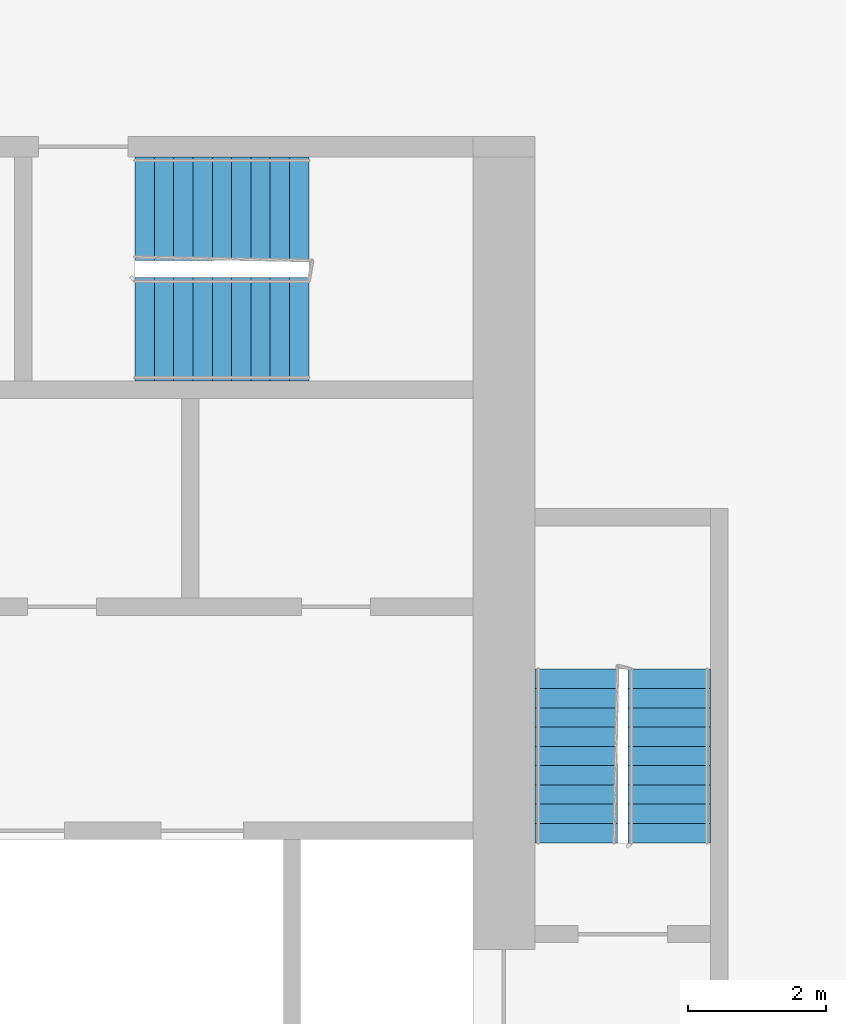
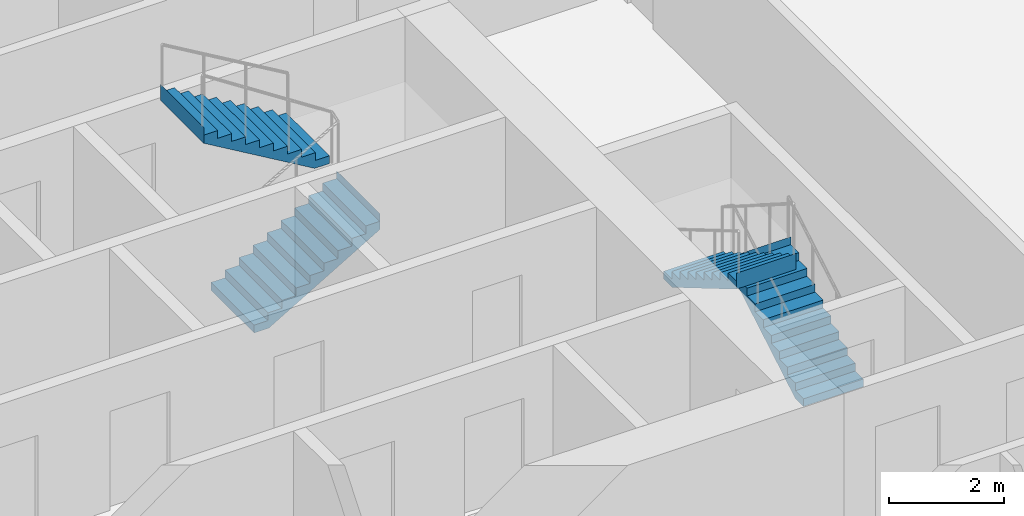
# One storey, part 11 of 13: 4 stair flights, 2 elements without a shape of their own.
"""IFC4 building model written with IfcOpenShell, lengths in metres."""

from ifc_helpers import new_model, si_unit, direction, frame, origin, place, context, subcontext, project, spatial, faceted_brep, material, type_object, element, aggregate, save


model = new_model("IFC4")

# Units and contexts
model_context = context("Model", 3, precision=1e-05, world=origin(), true_north=direction((0.0, 1.0)))
body_context = subcontext(model_context, "Body", "Model", "MODEL_VIEW")
ifc_project = project(units=[si_unit("LENGTHUNIT", "METRE"), si_unit("AREAUNIT", "SQUARE_METRE"), si_unit("VOLUMEUNIT", "CUBIC_METRE"), si_unit("PLANEANGLEUNIT", "RADIAN"), si_unit("MASSUNIT", "GRAM", prefix="KILO")], contexts=[model_context])

# Site, building, storey
site_placement = place(None, origin())
site = spatial("IfcSite", under=ifc_project, at=site_placement, CompositionType="ELEMENT")
building_placement = place(site_placement, origin())
building = spatial("IfcBuilding", under=site, at=building_placement, Name="Kajstack Hotel Tower", CompositionType="ELEMENT")
storey_placement = place(building_placement, frame((0.0, 0.0, 237.5)))
storey = spatial("IfcBuildingStorey", under=building, at=storey_placement, Name="L58", CompositionType="ELEMENT", Elevation=237.5)

# Stair, stair flights
ifc_material = material(Name="Concrete C40/50", Category="concrete")
stair_type_1 = type_object("IfcStairType", Name="Exit stair 1200", PredefinedType="HALF_TURN_STAIR", material=ifc_material)
stair_1_placement = place(storey_placement, origin())
stair_1 = element("IfcStair", 1, at=stair_1_placement, inside=storey, type_object=stair_type_1, Name="L58 stair E1", PredefinedType="HALF_TURN_STAIR")
stair_flight_type_1 = type_object("IfcStairFlightType", Name="Exit stair flight 1200", PredefinedType="STRAIGHT", material=ifc_material)
stair_flight_1_placement = place(storey_placement, frame((33.449951171875, 5.25, 0.0), z_axis=(0.0, 0.0, 1.0), x_axis=(0.0, 1.0, 0.0)))
stair_flight_1 = element("IfcStairFlight", 2, at=stair_flight_1_placement, type_object=stair_flight_type_1, Name="E1 flight 1", NumberOfRisers=10, NumberOfTreads=9, PredefinedType="STRAIGHT", RiserHeight=0.165, TreadLength=0.28, context=body_context, shape_type="Brep", body=[
    faceted_brep([(0.295654296875, -0.60009765625, 0.0), (2.5205078125, -0.60009765625, 1.31103515625), (2.5205078125, -0.60009765625, 1.64990234375), (2.52001953125, -0.60009765625, 1.64990234375), (2.52001953125, -0.60009765625, 1.485107421875), (2.239990234375, -0.60009765625, 1.485107421875), (2.239990234375, -0.60009765625, 1.320068359375), (1.9599609375, -0.60009765625, 1.320068359375), (1.9599609375, -0.60009765625, 1.155029296875), (1.679931640625, -0.60009765625, 1.155029296875), (1.679931640625, -0.60009765625, 0.989990234375), (1.39990234375, -0.60009765625, 0.989990234375), (1.39990234375, -0.60009765625, 0.824951171875), (1.1201171875, -0.60009765625, 0.824951171875), (1.1201171875, -0.60009765625, 0.659912109375), (0.840087890625, -0.60009765625, 0.659912109375), (0.840087890625, -0.60009765625, 0.4951171875), (0.56005859375, -0.60009765625, 0.4951171875), (0.56005859375, -0.60009765625, 0.330078125), (0.280029296875, -0.60009765625, 0.330078125), (0.280029296875, -0.60009765625, 0.1650390625), (-0.00048828125, -0.60009765625, 0.1650390625), (-0.00048828125, -0.60009765625, 0.0), (-0.00048828125, 0.60009765625, 0.0), (-0.00048828125, 0.60009765625, 0.1650390625), (0.280029296875, 0.60009765625, 0.1650390625), (0.280029296875, 0.60009765625, 0.330078125), (0.56005859375, 0.60009765625, 0.330078125), (0.56005859375, 0.60009765625, 0.4951171875), (0.840087890625, 0.60009765625, 0.4951171875), (0.840087890625, 0.60009765625, 0.659912109375), (1.1201171875, 0.60009765625, 0.659912109375), (1.1201171875, 0.60009765625, 0.824951171875), (1.39990234375, 0.60009765625, 0.824951171875), (1.39990234375, 0.60009765625, 0.989990234375), (1.679931640625, 0.60009765625, 0.989990234375), (1.679931640625, 0.60009765625, 1.155029296875), (1.9599609375, 0.60009765625, 1.155029296875), (1.9599609375, 0.60009765625, 1.320068359375), (2.239990234375, 0.60009765625, 1.320068359375), (2.239990234375, 0.60009765625, 1.485107421875), (2.52001953125, 0.60009765625, 1.485107421875), (2.52001953125, 0.60009765625, 1.64990234375), (2.5205078125, 0.60009765625, 1.64990234375), (2.5205078125, 0.60009765625, 1.31103515625), (0.295654296875, 0.60009765625, 0.0), (-0.00048828125, -0.300048828125, 0.1650390625), (-0.00048828125, 0.0, 0.1650390625), (-0.00048828125, 0.300048828125, 0.1650390625), (-0.00048828125, 0.300048828125, 0.0), (-0.00048828125, 0.0, 0.0), (-0.00048828125, -0.300048828125, 0.0), (0.280029296875, -0.300048828125, 0.1650390625), (0.280029296875, 0.0, 0.1650390625), (0.280029296875, 0.300048828125, 0.1650390625), (0.280029296875, -0.300048828125, 0.330078125), (0.280029296875, 0.0, 0.330078125), (0.280029296875, 0.300048828125, 0.330078125), (0.56005859375, -0.300048828125, 0.330078125), (0.56005859375, 0.0, 0.330078125), (0.56005859375, 0.300048828125, 0.330078125), (0.56005859375, -0.300048828125, 0.4951171875), (0.56005859375, 0.0, 0.4951171875), (0.56005859375, 0.300048828125, 0.4951171875), (0.840087890625, -0.300048828125, 0.4951171875), (0.840087890625, 0.0, 0.4951171875), (0.840087890625, 0.300048828125, 0.4951171875), (0.840087890625, -0.300048828125, 0.659912109375), (0.840087890625, 0.0, 0.659912109375), (0.840087890625, 0.300048828125, 0.659912109375), (1.1201171875, -0.300048828125, 0.659912109375), (1.1201171875, 0.0, 0.659912109375), (1.1201171875, 0.300048828125, 0.659912109375), (1.1201171875, -0.300048828125, 0.824951171875), (1.1201171875, 0.0, 0.824951171875), (1.1201171875, 0.300048828125, 0.824951171875), (1.39990234375, -0.300048828125, 0.824951171875), (1.39990234375, 0.0, 0.824951171875), (1.39990234375, 0.300048828125, 0.824951171875), (1.39990234375, -0.300048828125, 0.989990234375), (1.39990234375, 0.0, 0.989990234375), (1.39990234375, 0.300048828125, 0.989990234375), (1.679931640625, -0.300048828125, 0.989990234375), (1.679931640625, 0.0, 0.989990234375), (1.679931640625, 0.300048828125, 0.989990234375), (1.679931640625, -0.300048828125, 1.155029296875), (1.679931640625, 0.0, 1.155029296875), (1.679931640625, 0.300048828125, 1.155029296875), (1.9599609375, -0.300048828125, 1.155029296875), (1.9599609375, 0.0, 1.155029296875), (1.9599609375, 0.300048828125, 1.155029296875), (1.9599609375, -0.300048828125, 1.320068359375), (1.9599609375, 0.0, 1.320068359375), (1.9599609375, 0.300048828125, 1.320068359375), (2.239990234375, -0.300048828125, 1.320068359375), (2.239990234375, 0.0, 1.320068359375), (2.239990234375, 0.300048828125, 1.320068359375), (2.239990234375, -0.300048828125, 1.485107421875), (2.239990234375, 0.0, 1.485107421875), (2.239990234375, 0.300048828125, 1.485107421875), (2.52001953125, -0.300048828125, 1.485107421875), (2.52001953125, 0.0, 1.485107421875), (2.52001953125, 0.300048828125, 1.485107421875), (2.52001953125, -0.300048828125, 1.64990234375), (2.52001953125, 0.0, 1.64990234375), (2.52001953125, 0.300048828125, 1.64990234375), (2.5205078125, -0.300048828125, 1.64990234375), (2.5205078125, 0.0, 1.64990234375), (2.5205078125, 0.300048828125, 1.64990234375), (2.5205078125, -0.300048828125, 1.31103515625), (2.5205078125, 0.0, 1.31103515625), (2.5205078125, 0.300048828125, 1.31103515625), (0.295654296875, -0.300048828125, 0.0), (0.295654296875, 0.0, 0.0), (0.295654296875, 0.300048828125, 0.0)], [[[0, 1, 2, 3, 4, 5, 6, 7, 8, 9, 10, 11, 12, 13, 14, 15, 16, 17, 18, 19, 20, 21, 22]], [[23, 24, 25, 26, 27, 28, 29, 30, 31, 32, 33, 34, 35, 36, 37, 38, 39, 40, 41, 42, 43, 44, 45]], [[21, 46, 47, 48, 24, 23, 49, 50, 51, 22]], [[20, 52, 53, 54, 25, 24, 48, 47, 46, 21]], [[19, 55, 56, 57, 26, 25, 54, 53, 52, 20]], [[18, 58, 59, 60, 27, 26, 57, 56, 55, 19]], [[17, 61, 62, 63, 28, 27, 60, 59, 58, 18]], [[16, 64, 65, 66, 29, 28, 63, 62, 61, 17]], [[15, 67, 68, 69, 30, 29, 66, 65, 64, 16]], [[14, 70, 71, 72, 31, 30, 69, 68, 67, 15]], [[13, 73, 74, 75, 32, 31, 72, 71, 70, 14]], [[12, 76, 77, 78, 33, 32, 75, 74, 73, 13]], [[11, 79, 80, 81, 34, 33, 78, 77, 76, 12]], [[10, 82, 83, 84, 35, 34, 81, 80, 79, 11]], [[9, 85, 86, 87, 36, 35, 84, 83, 82, 10]], [[8, 88, 89, 90, 37, 36, 87, 86, 85, 9]], [[7, 91, 92, 93, 38, 37, 90, 89, 88, 8]], [[6, 94, 95, 96, 39, 38, 93, 92, 91, 7]], [[5, 97, 98, 99, 40, 39, 96, 95, 94, 6]], [[4, 100, 101, 102, 41, 40, 99, 98, 97, 5]], [[3, 103, 104, 105, 42, 41, 102, 101, 100, 4]], [[2, 106, 107, 108, 43, 42, 105, 104, 103, 3]], [[1, 109, 110, 111, 44, 43, 108, 107, 106, 2]], [[0, 112, 113, 114, 45, 44, 111, 110, 109, 1]], [[22, 51, 50, 49, 23, 45, 114, 113, 112, 0]]]),
])
stair_flight_2_placement = place(storey_placement, frame((32.10009765625, 7.77001953125, 1.64990234375), z_axis=(0.0, 0.0, 1.0), x_axis=(0.0, -1.0, 0.0)))
stair_flight_2 = element("IfcStairFlight", 3, at=stair_flight_2_placement, type_object=stair_flight_type_1, Name="E1 flight 2", NumberOfRisers=10, NumberOfTreads=9, PredefinedType="STRAIGHT", RiserHeight=0.165, TreadLength=0.28, context=body_context, shape_type="Brep", body=[
    faceted_brep([(0.295654296875, -0.60009765625, 0.0), (2.5205078125, -0.60009765625, 1.31103515625), (2.5205078125, -0.60009765625, 1.64990234375), (2.52001953125, -0.60009765625, 1.64990234375), (2.52001953125, -0.60009765625, 1.485107421875), (2.239990234375, -0.60009765625, 1.485107421875), (2.239990234375, -0.60009765625, 1.320068359375), (1.9599609375, -0.60009765625, 1.320068359375), (1.9599609375, -0.60009765625, 1.155029296875), (1.679931640625, -0.60009765625, 1.155029296875), (1.679931640625, -0.60009765625, 0.989990234375), (1.39990234375, -0.60009765625, 0.989990234375), (1.39990234375, -0.60009765625, 0.824951171875), (1.1201171875, -0.60009765625, 0.824951171875), (1.1201171875, -0.60009765625, 0.659912109375), (0.840087890625, -0.60009765625, 0.659912109375), (0.840087890625, -0.60009765625, 0.4951171875), (0.56005859375, -0.60009765625, 0.4951171875), (0.56005859375, -0.60009765625, 0.330078125), (0.280029296875, -0.60009765625, 0.330078125), (0.280029296875, -0.60009765625, 0.1650390625), (-0.00048828125, -0.60009765625, 0.1650390625), (-0.00048828125, -0.60009765625, 0.0), (-0.00048828125, 0.60009765625, 0.0), (-0.00048828125, 0.60009765625, 0.1650390625), (0.280029296875, 0.60009765625, 0.1650390625), (0.280029296875, 0.60009765625, 0.330078125), (0.56005859375, 0.60009765625, 0.330078125), (0.56005859375, 0.60009765625, 0.4951171875), (0.840087890625, 0.60009765625, 0.4951171875), (0.840087890625, 0.60009765625, 0.659912109375), (1.1201171875, 0.60009765625, 0.659912109375), (1.1201171875, 0.60009765625, 0.824951171875), (1.39990234375, 0.60009765625, 0.824951171875), (1.39990234375, 0.60009765625, 0.989990234375), (1.679931640625, 0.60009765625, 0.989990234375), (1.679931640625, 0.60009765625, 1.155029296875), (1.9599609375, 0.60009765625, 1.155029296875), (1.9599609375, 0.60009765625, 1.320068359375), (2.239990234375, 0.60009765625, 1.320068359375), (2.239990234375, 0.60009765625, 1.485107421875), (2.52001953125, 0.60009765625, 1.485107421875), (2.52001953125, 0.60009765625, 1.64990234375), (2.5205078125, 0.60009765625, 1.64990234375), (2.5205078125, 0.60009765625, 1.31103515625), (0.295654296875, 0.60009765625, 0.0), (-0.00048828125, -0.300048828125, 0.1650390625), (-0.00048828125, 0.0, 0.1650390625), (-0.00048828125, 0.300048828125, 0.1650390625), (-0.00048828125, 0.300048828125, 0.0), (-0.00048828125, 0.0, 0.0), (-0.00048828125, -0.300048828125, 0.0), (0.280029296875, -0.300048828125, 0.1650390625), (0.280029296875, 0.0, 0.1650390625), (0.280029296875, 0.300048828125, 0.1650390625), (0.280029296875, -0.300048828125, 0.330078125), (0.280029296875, 0.0, 0.330078125), (0.280029296875, 0.300048828125, 0.330078125), (0.56005859375, -0.300048828125, 0.330078125), (0.56005859375, 0.0, 0.330078125), (0.56005859375, 0.300048828125, 0.330078125), (0.56005859375, -0.300048828125, 0.4951171875), (0.56005859375, 0.0, 0.4951171875), (0.56005859375, 0.300048828125, 0.4951171875), (0.840087890625, -0.300048828125, 0.4951171875), (0.840087890625, 0.0, 0.4951171875), (0.840087890625, 0.300048828125, 0.4951171875), (0.840087890625, -0.300048828125, 0.659912109375), (0.840087890625, 0.0, 0.659912109375), (0.840087890625, 0.300048828125, 0.659912109375), (1.1201171875, -0.300048828125, 0.659912109375), (1.1201171875, 0.0, 0.659912109375), (1.1201171875, 0.300048828125, 0.659912109375), (1.1201171875, -0.300048828125, 0.824951171875), (1.1201171875, 0.0, 0.824951171875), (1.1201171875, 0.300048828125, 0.824951171875), (1.39990234375, -0.300048828125, 0.824951171875), (1.39990234375, 0.0, 0.824951171875), (1.39990234375, 0.300048828125, 0.824951171875), (1.39990234375, -0.300048828125, 0.989990234375), (1.39990234375, 0.0, 0.989990234375), (1.39990234375, 0.300048828125, 0.989990234375), (1.679931640625, -0.300048828125, 0.989990234375), (1.679931640625, 0.0, 0.989990234375), (1.679931640625, 0.300048828125, 0.989990234375), (1.679931640625, -0.300048828125, 1.155029296875), (1.679931640625, 0.0, 1.155029296875), (1.679931640625, 0.300048828125, 1.155029296875), (1.9599609375, -0.300048828125, 1.155029296875), (1.9599609375, 0.0, 1.155029296875), (1.9599609375, 0.300048828125, 1.155029296875), (1.9599609375, -0.300048828125, 1.320068359375), (1.9599609375, 0.0, 1.320068359375), (1.9599609375, 0.300048828125, 1.320068359375), (2.239990234375, -0.300048828125, 1.320068359375), (2.239990234375, 0.0, 1.320068359375), (2.239990234375, 0.300048828125, 1.320068359375), (2.239990234375, -0.300048828125, 1.485107421875), (2.239990234375, 0.0, 1.485107421875), (2.239990234375, 0.300048828125, 1.485107421875), (2.52001953125, -0.300048828125, 1.485107421875), (2.52001953125, 0.0, 1.485107421875), (2.52001953125, 0.300048828125, 1.485107421875), (2.52001953125, -0.300048828125, 1.64990234375), (2.52001953125, 0.0, 1.64990234375), (2.52001953125, 0.300048828125, 1.64990234375), (2.5205078125, -0.300048828125, 1.64990234375), (2.5205078125, 0.0, 1.64990234375), (2.5205078125, 0.300048828125, 1.64990234375), (2.5205078125, -0.300048828125, 1.31103515625), (2.5205078125, 0.0, 1.31103515625), (2.5205078125, 0.300048828125, 1.31103515625), (0.295654296875, -0.300048828125, 0.0), (0.295654296875, 0.0, 0.0), (0.295654296875, 0.300048828125, 0.0)], [[[0, 1, 2, 3, 4, 5, 6, 7, 8, 9, 10, 11, 12, 13, 14, 15, 16, 17, 18, 19, 20, 21, 22]], [[23, 24, 25, 26, 27, 28, 29, 30, 31, 32, 33, 34, 35, 36, 37, 38, 39, 40, 41, 42, 43, 44, 45]], [[21, 46, 47, 48, 24, 23, 49, 50, 51, 22]], [[20, 52, 53, 54, 25, 24, 48, 47, 46, 21]], [[19, 55, 56, 57, 26, 25, 54, 53, 52, 20]], [[18, 58, 59, 60, 27, 26, 57, 56, 55, 19]], [[17, 61, 62, 63, 28, 27, 60, 59, 58, 18]], [[16, 64, 65, 66, 29, 28, 63, 62, 61, 17]], [[15, 67, 68, 69, 30, 29, 66, 65, 64, 16]], [[14, 70, 71, 72, 31, 30, 69, 68, 67, 15]], [[13, 73, 74, 75, 32, 31, 72, 71, 70, 14]], [[12, 76, 77, 78, 33, 32, 75, 74, 73, 13]], [[11, 79, 80, 81, 34, 33, 78, 77, 76, 12]], [[10, 82, 83, 84, 35, 34, 81, 80, 79, 11]], [[9, 85, 86, 87, 36, 35, 84, 83, 82, 10]], [[8, 88, 89, 90, 37, 36, 87, 86, 85, 9]], [[7, 91, 92, 93, 38, 37, 90, 89, 88, 8]], [[6, 94, 95, 96, 39, 38, 93, 92, 91, 7]], [[5, 97, 98, 99, 40, 39, 96, 95, 94, 6]], [[4, 100, 101, 102, 41, 40, 99, 98, 97, 5]], [[3, 103, 104, 105, 42, 41, 102, 101, 100, 4]], [[2, 106, 107, 108, 43, 42, 105, 104, 103, 3]], [[1, 109, 110, 111, 44, 43, 108, 107, 106, 2]], [[0, 112, 113, 114, 45, 44, 111, 110, 109, 1]], [[22, 51, 50, 49, 23, 45, 114, 113, 112, 0]]]),
])
aggregate(stair_1, [stair_flight_1, stair_flight_2])

stair_type_2 = type_object("IfcStairType", Name="Exit stair 1500", PredefinedType="HALF_TURN_STAIR", material=ifc_material)
stair_2_placement = place(storey_placement, origin())
stair_2 = element("IfcStair", 4, at=stair_2_placement, inside=storey, type_object=stair_type_2, Name="L58 stair E3", PredefinedType="HALF_TURN_STAIR")
stair_flight_type_2 = type_object("IfcStairFlightType", Name="Exit stair flight 1500", PredefinedType="STRAIGHT", material=ifc_material)
stair_flight_3_placement = place(storey_placement, frame((25.699951171875, 12.699951171875, 0.0), z_axis=(0.0, 0.0, 1.0), x_axis=(1.0, 0.0, 0.0)))
stair_flight_3 = element("IfcStairFlight", 5, at=stair_flight_3_placement, type_object=stair_flight_type_2, Name="E3 flight 1", NumberOfRisers=10, NumberOfTreads=9, PredefinedType="STRAIGHT", RiserHeight=0.165, TreadLength=0.28, context=body_context, shape_type="Brep", body=[
    faceted_brep([(0.295654296875, -0.75, 0.0), (2.5205078125, -0.75, 1.31103515625), (2.5205078125, -0.75, 1.64990234375), (2.52001953125, -0.75, 1.64990234375), (2.52001953125, -0.75, 1.485107421875), (2.239990234375, -0.75, 1.485107421875), (2.239990234375, -0.75, 1.320068359375), (1.9599609375, -0.75, 1.320068359375), (1.9599609375, -0.75, 1.155029296875), (1.679931640625, -0.75, 1.155029296875), (1.679931640625, -0.75, 0.989990234375), (1.39990234375, -0.75, 0.989990234375), (1.39990234375, -0.75, 0.824951171875), (1.1201171875, -0.75, 0.824951171875), (1.1201171875, -0.75, 0.659912109375), (0.840087890625, -0.75, 0.659912109375), (0.840087890625, -0.75, 0.4951171875), (0.56005859375, -0.75, 0.4951171875), (0.56005859375, -0.75, 0.330078125), (0.280029296875, -0.75, 0.330078125), (0.280029296875, -0.75, 0.1650390625), (-0.00048828125, -0.75, 0.1650390625), (-0.00048828125, -0.75, 0.0), (-0.00048828125, 0.75, 0.0), (-0.00048828125, 0.75, 0.1650390625), (0.280029296875, 0.75, 0.1650390625), (0.280029296875, 0.75, 0.330078125), (0.56005859375, 0.75, 0.330078125), (0.56005859375, 0.75, 0.4951171875), (0.840087890625, 0.75, 0.4951171875), (0.840087890625, 0.75, 0.659912109375), (1.1201171875, 0.75, 0.659912109375), (1.1201171875, 0.75, 0.824951171875), (1.39990234375, 0.75, 0.824951171875), (1.39990234375, 0.75, 0.989990234375), (1.679931640625, 0.75, 0.989990234375), (1.679931640625, 0.75, 1.155029296875), (1.9599609375, 0.75, 1.155029296875), (1.9599609375, 0.75, 1.320068359375), (2.239990234375, 0.75, 1.320068359375), (2.239990234375, 0.75, 1.485107421875), (2.52001953125, 0.75, 1.485107421875), (2.52001953125, 0.75, 1.64990234375), (2.5205078125, 0.75, 1.64990234375), (2.5205078125, 0.75, 1.31103515625), (0.295654296875, 0.75, 0.0), (-0.00048828125, -0.375, 0.1650390625), (-0.00048828125, 0.0, 0.1650390625), (-0.00048828125, 0.375, 0.1650390625), (-0.00048828125, 0.375, 0.0), (-0.00048828125, 0.0, 0.0), (-0.00048828125, -0.375, 0.0), (0.280029296875, -0.375, 0.1650390625), (0.280029296875, 0.0, 0.1650390625), (0.280029296875, 0.375, 0.1650390625), (0.280029296875, -0.375, 0.330078125), (0.280029296875, 0.0, 0.330078125), (0.280029296875, 0.375, 0.330078125), (0.56005859375, -0.375, 0.330078125), (0.56005859375, 0.0, 0.330078125), (0.56005859375, 0.375, 0.330078125), (0.56005859375, -0.375, 0.4951171875), (0.56005859375, 0.0, 0.4951171875), (0.56005859375, 0.375, 0.4951171875), (0.840087890625, -0.375, 0.4951171875), (0.840087890625, 0.0, 0.4951171875), (0.840087890625, 0.375, 0.4951171875), (0.840087890625, -0.375, 0.659912109375), (0.840087890625, 0.0, 0.659912109375), (0.840087890625, 0.375, 0.659912109375), (1.1201171875, -0.375, 0.659912109375), (1.1201171875, 0.0, 0.659912109375), (1.1201171875, 0.375, 0.659912109375), (1.1201171875, -0.375, 0.824951171875), (1.1201171875, 0.0, 0.824951171875), (1.1201171875, 0.375, 0.824951171875), (1.39990234375, -0.375, 0.824951171875), (1.39990234375, 0.0, 0.824951171875), (1.39990234375, 0.375, 0.824951171875), (1.39990234375, -0.375, 0.989990234375), (1.39990234375, 0.0, 0.989990234375), (1.39990234375, 0.375, 0.989990234375), (1.679931640625, -0.375, 0.989990234375), (1.679931640625, 0.0, 0.989990234375), (1.679931640625, 0.375, 0.989990234375), (1.679931640625, -0.375, 1.155029296875), (1.679931640625, 0.0, 1.155029296875), (1.679931640625, 0.375, 1.155029296875), (1.9599609375, -0.375, 1.155029296875), (1.9599609375, 0.0, 1.155029296875), (1.9599609375, 0.375, 1.155029296875), (1.9599609375, -0.375, 1.320068359375), (1.9599609375, 0.0, 1.320068359375), (1.9599609375, 0.375, 1.320068359375), (2.239990234375, -0.375, 1.320068359375), (2.239990234375, 0.0, 1.320068359375), (2.239990234375, 0.375, 1.320068359375), (2.239990234375, -0.375, 1.485107421875), (2.239990234375, 0.0, 1.485107421875), (2.239990234375, 0.375, 1.485107421875), (2.52001953125, -0.375, 1.485107421875), (2.52001953125, 0.0, 1.485107421875), (2.52001953125, 0.375, 1.485107421875), (2.52001953125, -0.375, 1.64990234375), (2.52001953125, 0.0, 1.64990234375), (2.52001953125, 0.375, 1.64990234375), (2.5205078125, -0.375, 1.64990234375), (2.5205078125, 0.0, 1.64990234375), (2.5205078125, 0.375, 1.64990234375), (2.5205078125, -0.375, 1.31103515625), (2.5205078125, 0.0, 1.31103515625), (2.5205078125, 0.375, 1.31103515625), (0.295654296875, -0.375, 0.0), (0.295654296875, 0.0, 0.0), (0.295654296875, 0.375, 0.0)], [[[0, 1, 2, 3, 4, 5, 6, 7, 8, 9, 10, 11, 12, 13, 14, 15, 16, 17, 18, 19, 20, 21, 22]], [[23, 24, 25, 26, 27, 28, 29, 30, 31, 32, 33, 34, 35, 36, 37, 38, 39, 40, 41, 42, 43, 44, 45]], [[21, 46, 47, 48, 24, 23, 49, 50, 51, 22]], [[20, 52, 53, 54, 25, 24, 48, 47, 46, 21]], [[19, 55, 56, 57, 26, 25, 54, 53, 52, 20]], [[18, 58, 59, 60, 27, 26, 57, 56, 55, 19]], [[17, 61, 62, 63, 28, 27, 60, 59, 58, 18]], [[16, 64, 65, 66, 29, 28, 63, 62, 61, 17]], [[15, 67, 68, 69, 30, 29, 66, 65, 64, 16]], [[14, 70, 71, 72, 31, 30, 69, 68, 67, 15]], [[13, 73, 74, 75, 32, 31, 72, 71, 70, 14]], [[12, 76, 77, 78, 33, 32, 75, 74, 73, 13]], [[11, 79, 80, 81, 34, 33, 78, 77, 76, 12]], [[10, 82, 83, 84, 35, 34, 81, 80, 79, 11]], [[9, 85, 86, 87, 36, 35, 84, 83, 82, 10]], [[8, 88, 89, 90, 37, 36, 87, 86, 85, 9]], [[7, 91, 92, 93, 38, 37, 90, 89, 88, 8]], [[6, 94, 95, 96, 39, 38, 93, 92, 91, 7]], [[5, 97, 98, 99, 40, 39, 96, 95, 94, 6]], [[4, 100, 101, 102, 41, 40, 99, 98, 97, 5]], [[3, 103, 104, 105, 42, 41, 102, 101, 100, 4]], [[2, 106, 107, 108, 43, 42, 105, 104, 103, 3]], [[1, 109, 110, 111, 44, 43, 108, 107, 106, 2]], [[0, 112, 113, 114, 45, 44, 111, 110, 109, 1]], [[22, 51, 50, 49, 23, 45, 114, 113, 112, 0]]]),
])
stair_flight_4_placement = place(storey_placement, frame((28.219970703125, 14.449951171875, 1.64990234375), z_axis=(0.0, 0.0, 1.0), x_axis=(-1.0, 0.0, 0.0)))
stair_flight_4 = element("IfcStairFlight", 6, at=stair_flight_4_placement, type_object=stair_flight_type_2, Name="E3 flight 2", NumberOfRisers=10, NumberOfTreads=9, PredefinedType="STRAIGHT", RiserHeight=0.165, TreadLength=0.28, context=body_context, shape_type="Brep", body=[
    faceted_brep([(0.295654296875, -0.75, 0.0), (2.5205078125, -0.75, 1.31103515625), (2.5205078125, -0.75, 1.64990234375), (2.52001953125, -0.75, 1.64990234375), (2.52001953125, -0.75, 1.485107421875), (2.239990234375, -0.75, 1.485107421875), (2.239990234375, -0.75, 1.320068359375), (1.9599609375, -0.75, 1.320068359375), (1.9599609375, -0.75, 1.155029296875), (1.679931640625, -0.75, 1.155029296875), (1.679931640625, -0.75, 0.989990234375), (1.39990234375, -0.75, 0.989990234375), (1.39990234375, -0.75, 0.824951171875), (1.1201171875, -0.75, 0.824951171875), (1.1201171875, -0.75, 0.659912109375), (0.840087890625, -0.75, 0.659912109375), (0.840087890625, -0.75, 0.4951171875), (0.56005859375, -0.75, 0.4951171875), (0.56005859375, -0.75, 0.330078125), (0.280029296875, -0.75, 0.330078125), (0.280029296875, -0.75, 0.1650390625), (-0.00048828125, -0.75, 0.1650390625), (-0.00048828125, -0.75, 0.0), (-0.00048828125, 0.75, 0.0), (-0.00048828125, 0.75, 0.1650390625), (0.280029296875, 0.75, 0.1650390625), (0.280029296875, 0.75, 0.330078125), (0.56005859375, 0.75, 0.330078125), (0.56005859375, 0.75, 0.4951171875), (0.840087890625, 0.75, 0.4951171875), (0.840087890625, 0.75, 0.659912109375), (1.1201171875, 0.75, 0.659912109375), (1.1201171875, 0.75, 0.824951171875), (1.39990234375, 0.75, 0.824951171875), (1.39990234375, 0.75, 0.989990234375), (1.679931640625, 0.75, 0.989990234375), (1.679931640625, 0.75, 1.155029296875), (1.9599609375, 0.75, 1.155029296875), (1.9599609375, 0.75, 1.320068359375), (2.239990234375, 0.75, 1.320068359375), (2.239990234375, 0.75, 1.485107421875), (2.52001953125, 0.75, 1.485107421875), (2.52001953125, 0.75, 1.64990234375), (2.5205078125, 0.75, 1.64990234375), (2.5205078125, 0.75, 1.31103515625), (0.295654296875, 0.75, 0.0), (-0.00048828125, -0.375, 0.1650390625), (-0.00048828125, 0.0, 0.1650390625), (-0.00048828125, 0.375, 0.1650390625), (-0.00048828125, 0.375, 0.0), (-0.00048828125, 0.0, 0.0), (-0.00048828125, -0.375, 0.0), (0.280029296875, -0.375, 0.1650390625), (0.280029296875, 0.0, 0.1650390625), (0.280029296875, 0.375, 0.1650390625), (0.280029296875, -0.375, 0.330078125), (0.280029296875, 0.0, 0.330078125), (0.280029296875, 0.375, 0.330078125), (0.56005859375, -0.375, 0.330078125), (0.56005859375, 0.0, 0.330078125), (0.56005859375, 0.375, 0.330078125), (0.56005859375, -0.375, 0.4951171875), (0.56005859375, 0.0, 0.4951171875), (0.56005859375, 0.375, 0.4951171875), (0.840087890625, -0.375, 0.4951171875), (0.840087890625, 0.0, 0.4951171875), (0.840087890625, 0.375, 0.4951171875), (0.840087890625, -0.375, 0.659912109375), (0.840087890625, 0.0, 0.659912109375), (0.840087890625, 0.375, 0.659912109375), (1.1201171875, -0.375, 0.659912109375), (1.1201171875, 0.0, 0.659912109375), (1.1201171875, 0.375, 0.659912109375), (1.1201171875, -0.375, 0.824951171875), (1.1201171875, 0.0, 0.824951171875), (1.1201171875, 0.375, 0.824951171875), (1.39990234375, -0.375, 0.824951171875), (1.39990234375, 0.0, 0.824951171875), (1.39990234375, 0.375, 0.824951171875), (1.39990234375, -0.375, 0.989990234375), (1.39990234375, 0.0, 0.989990234375), (1.39990234375, 0.375, 0.989990234375), (1.679931640625, -0.375, 0.989990234375), (1.679931640625, 0.0, 0.989990234375), (1.679931640625, 0.375, 0.989990234375), (1.679931640625, -0.375, 1.155029296875), (1.679931640625, 0.0, 1.155029296875), (1.679931640625, 0.375, 1.155029296875), (1.9599609375, -0.375, 1.155029296875), (1.9599609375, 0.0, 1.155029296875), (1.9599609375, 0.375, 1.155029296875), (1.9599609375, -0.375, 1.320068359375), (1.9599609375, 0.0, 1.320068359375), (1.9599609375, 0.375, 1.320068359375), (2.239990234375, -0.375, 1.320068359375), (2.239990234375, 0.0, 1.320068359375), (2.239990234375, 0.375, 1.320068359375), (2.239990234375, -0.375, 1.485107421875), (2.239990234375, 0.0, 1.485107421875), (2.239990234375, 0.375, 1.485107421875), (2.52001953125, -0.375, 1.485107421875), (2.52001953125, 0.0, 1.485107421875), (2.52001953125, 0.375, 1.485107421875), (2.52001953125, -0.375, 1.64990234375), (2.52001953125, 0.0, 1.64990234375), (2.52001953125, 0.375, 1.64990234375), (2.5205078125, -0.375, 1.64990234375), (2.5205078125, 0.0, 1.64990234375), (2.5205078125, 0.375, 1.64990234375), (2.5205078125, -0.375, 1.31103515625), (2.5205078125, 0.0, 1.31103515625), (2.5205078125, 0.375, 1.31103515625), (0.295654296875, -0.375, 0.0), (0.295654296875, 0.0, 0.0), (0.295654296875, 0.375, 0.0)], [[[0, 1, 2, 3, 4, 5, 6, 7, 8, 9, 10, 11, 12, 13, 14, 15, 16, 17, 18, 19, 20, 21, 22]], [[23, 24, 25, 26, 27, 28, 29, 30, 31, 32, 33, 34, 35, 36, 37, 38, 39, 40, 41, 42, 43, 44, 45]], [[21, 46, 47, 48, 24, 23, 49, 50, 51, 22]], [[20, 52, 53, 54, 25, 24, 48, 47, 46, 21]], [[19, 55, 56, 57, 26, 25, 54, 53, 52, 20]], [[18, 58, 59, 60, 27, 26, 57, 56, 55, 19]], [[17, 61, 62, 63, 28, 27, 60, 59, 58, 18]], [[16, 64, 65, 66, 29, 28, 63, 62, 61, 17]], [[15, 67, 68, 69, 30, 29, 66, 65, 64, 16]], [[14, 70, 71, 72, 31, 30, 69, 68, 67, 15]], [[13, 73, 74, 75, 32, 31, 72, 71, 70, 14]], [[12, 76, 77, 78, 33, 32, 75, 74, 73, 13]], [[11, 79, 80, 81, 34, 33, 78, 77, 76, 12]], [[10, 82, 83, 84, 35, 34, 81, 80, 79, 11]], [[9, 85, 86, 87, 36, 35, 84, 83, 82, 10]], [[8, 88, 89, 90, 37, 36, 87, 86, 85, 9]], [[7, 91, 92, 93, 38, 37, 90, 89, 88, 8]], [[6, 94, 95, 96, 39, 38, 93, 92, 91, 7]], [[5, 97, 98, 99, 40, 39, 96, 95, 94, 6]], [[4, 100, 101, 102, 41, 40, 99, 98, 97, 5]], [[3, 103, 104, 105, 42, 41, 102, 101, 100, 4]], [[2, 106, 107, 108, 43, 42, 105, 104, 103, 3]], [[1, 109, 110, 111, 44, 43, 108, 107, 106, 2]], [[0, 112, 113, 114, 45, 44, 111, 110, 109, 1]], [[22, 51, 50, 49, 23, 45, 114, 113, 112, 0]]]),
])
aggregate(stair_2, [stair_flight_3, stair_flight_4])

save(model, "model.ifc")
